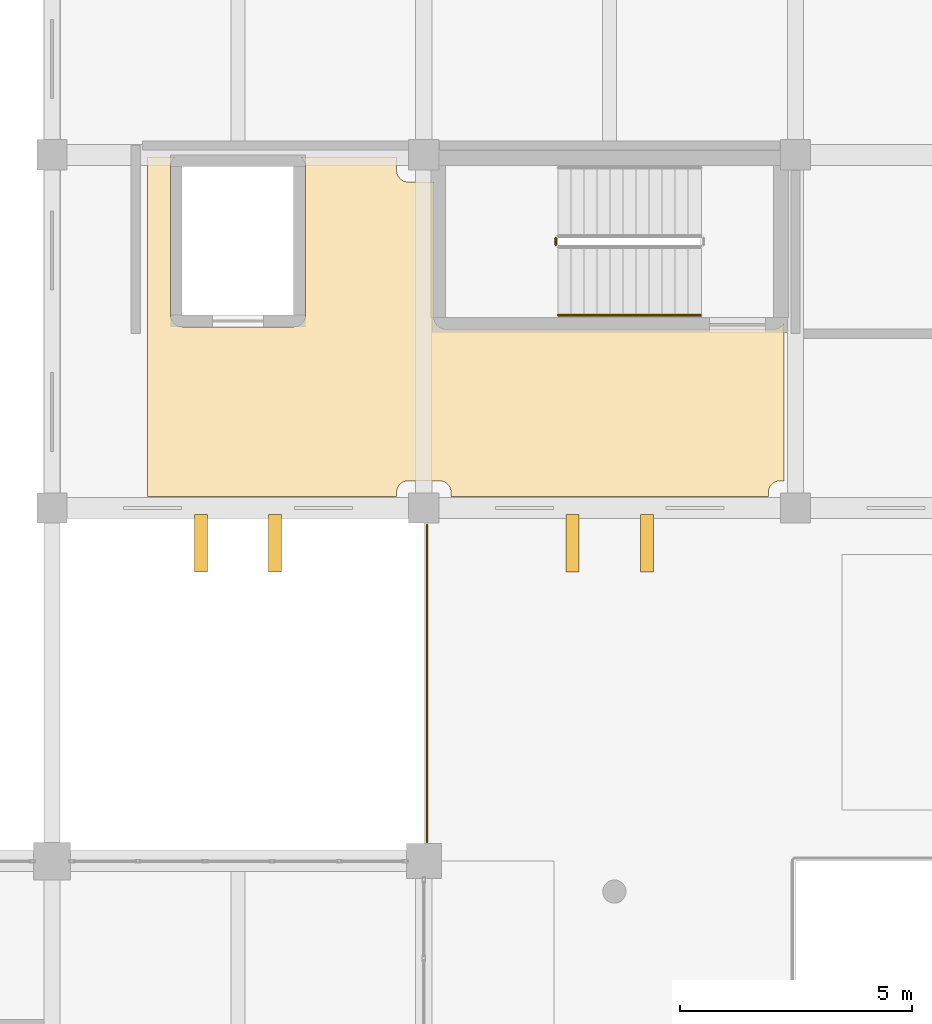
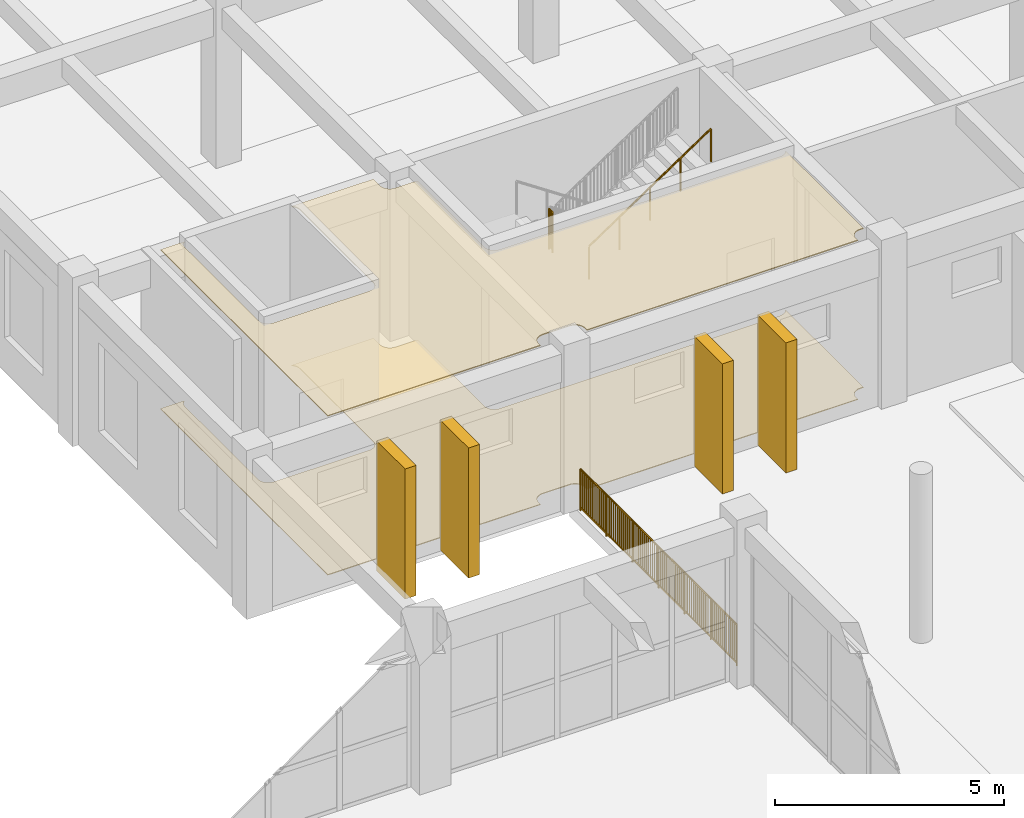
# One storey, part 76 of 79: 4 shading devices, 3 railings, 2 coverings.
"""IFC4 building model written with IfcOpenShell, lengths in metres."""

from ifc_helpers import new_model, si_unit, direction, frame, origin, origin_2d, place, context, subcontext, project, spatial, polyline, rectangle, circle, outline, extrude, material, layer, layer_set, type_object, element, save


model = new_model("IFC4")

# Units and contexts
model_context = context("Model", 3, precision=1e-05, world=origin(), true_north=direction((0.0, 1.0)))
body_context = subcontext(model_context, "Body", "Model", "MODEL_VIEW")
ifc_project = project(units=[si_unit("LENGTHUNIT", "METRE"), si_unit("AREAUNIT", "SQUARE_METRE"), si_unit("VOLUMEUNIT", "CUBIC_METRE"), si_unit("PLANEANGLEUNIT", "RADIAN"), si_unit("MASSUNIT", "GRAM", prefix="KILO")], contexts=[model_context])

# Site, building, storey
site_placement = place(None, origin())
site = spatial("IfcSite", under=ifc_project, at=site_placement, CompositionType="ELEMENT")
building_placement = place(site_placement, origin())
building = spatial("IfcBuilding", under=site, at=building_placement, Name="Zantavel Square City Hall", CompositionType="ELEMENT")
storey_placement = place(building_placement, frame((0.0, 0.0, 10.199951171875)))
storey = spatial("IfcBuildingStorey", under=building, at=storey_placement, Name="L03", CompositionType="ELEMENT", Elevation=10.199951171875)

# Railing
ifc_material_1 = material(Name="Steel ASTM A500 Grade B", Category="steel")
railing_type_1 = type_object("IfcRailingType", Name="Atrium & Gallery Steel Guard Railing 1100mm", PredefinedType="GUARDRAIL", material=ifc_material_1)
railing_1_placement = place(storey_placement, frame((114.840087890625, 81.81005859375, 2.25)))
element("IfcRailing", 1, at=railing_1_placement, inside=storey, type_object=railing_type_1, Name="L03 ST2 stair guard 2", PredefinedType="GUARDRAIL", context=body_context, shape_type="SweptSolid", body=[
    extrude(circle(Radius=0.02392578125, at=origin_2d()), frame((0.0, 0.0, 1.076171875), z_axis=(0.0, -1.0, 0.0), x_axis=(1.0, 0.0, 0.0)), (0.0, 0.0, 1.0), 0.150146484375),
    extrude(rectangle(XDim=0.031982421875, YDim=0.031982421875, at=origin_2d()), frame((0.0, 0.0, 0.080078125), z_axis=(0.0, -1.0, 0.0), x_axis=(1.0, 0.0, 0.0)), (0.0, 0.0, 1.0), 0.150146484375),
    extrude(rectangle(XDim=0.02197265625, YDim=0.02197265625, at=origin_2d()), frame((0.0, -0.0751953125, 0.080078125)), (0.0, 0.0, 1.0), 0.971923828125),
    extrude(circle(Radius=0.02099609375, at=origin_2d()), origin(), (0.0, 0.0, 1.0), 1.052001953125),
    extrude(circle(Radius=0.02099609375, at=origin_2d()), frame((0.0, -0.150146484375, 0.0)), (0.0, 0.0, 1.0), 1.052001953125),
])

# Shading devices
ifc_material_2 = material(Name="Cantera volcanic tuff stone", Category="masonry")
shading_device_type = type_object("IfcShadingDeviceType", Name="Cantera Vertical Solar Shading Pier 280x1240", PredefinedType="USERDEFINED", material=ifc_material_2)
for number, where, z_axis, x_axis, name in (
    (2, (116.800048828125, 75.239990234375, 0.0), (0.0, 0.0, 1.0), (1.0, 0.0, 0.0), "L03 Cantera Solar Pier 037"),
    (3, (115.199951171875, 75.239990234375, 0.0), (0.0, 0.0, 1.0), (1.0, 0.0, 0.0), "L03 Cantera Solar Pier 038"),
    (4, (108.800048828125, 75.239990234375, 0.0), (0.0, 0.0, 1.0), (1.0, 0.0, 0.0), "L03 Cantera Solar Pier 039"),
    (5, (107.199951171875, 75.239990234375, 0.0), (0.0, 0.0, 1.0), (1.0, 0.0, 0.0), "L03 Cantera Solar Pier 040"),
):
    element("IfcShadingDevice", number, at=place(storey_placement, frame(where, z_axis=z_axis, x_axis=x_axis)), inside=storey, type_object=shading_device_type, Name=name, ObjectType="FIN", PredefinedType="USERDEFINED", context=body_context, shape_type="SweptSolid", body=[
        extrude(rectangle(XDim=0.280029296875, YDim=1.239990234375, at=origin_2d()), origin(), (0.0, 0.0, 1.0), 3.469970703125),
    ])

# Railing
railing_type_2 = type_object("IfcRailingType", Name="Classical Stone & Steel Terrace Balustrade 1100mm", PredefinedType="BALUSTRADE", material=ifc_material_1)
railing_2_placement = place(storey_placement, frame((112.070068359375, 68.81494140625, 0.0)))
element("IfcRailing", 6, at=railing_2_placement, inside=storey, type_object=railing_type_2, Name="L03 Terrace Balustrade 028", PredefinedType="BALUSTRADE", context=body_context, shape_type="SweptSolid", body=[
    extrude(circle(Radius=0.02392578125, at=origin_2d()), frame((0.0, 0.0, 1.09619140625), z_axis=(0.0, 1.0, 0.0), x_axis=(-1.0, 0.0, 0.0)), (0.0, 0.0, 1.0), 6.820068359375),
    extrude(rectangle(XDim=0.031982421875, YDim=0.031982421875, at=origin_2d()), frame((0.0, 0.0, 0.080078125), z_axis=(0.0, 1.0, 0.0), x_axis=(-1.0, 0.0, 0.0)), (0.0, 0.0, 1.0), 6.820068359375),
    extrude(rectangle(XDim=0.02197265625, YDim=0.02197265625, at=origin_2d()), frame((0.0, 0.08984375, 0.080078125)), (0.0, 0.0, 1.0), 0.991943359375),
    extrude(rectangle(XDim=0.02197265625, YDim=0.02197265625, at=origin_2d()), frame((0.0, 0.179443359375, 0.080078125)), (0.0, 0.0, 1.0), 0.991943359375),
    extrude(rectangle(XDim=0.02197265625, YDim=0.02197265625, at=origin_2d()), frame((0.0, 0.269287109375, 0.080078125)), (0.0, 0.0, 1.0), 0.991943359375),
    extrude(rectangle(XDim=0.02197265625, YDim=0.02197265625, at=origin_2d()), frame((0.0, 0.35888671875, 0.080078125)), (0.0, 0.0, 1.0), 0.991943359375),
    extrude(rectangle(XDim=0.02197265625, YDim=0.02197265625, at=origin_2d()), frame((0.0, 0.44873046875, 0.080078125)), (0.0, 0.0, 1.0), 0.991943359375),
    extrude(rectangle(XDim=0.02197265625, YDim=0.02197265625, at=origin_2d()), frame((0.0, 0.538330078125, 0.080078125)), (0.0, 0.0, 1.0), 0.991943359375),
    extrude(rectangle(XDim=0.02197265625, YDim=0.02197265625, at=origin_2d()), frame((0.0, 0.628173828125, 0.080078125)), (0.0, 0.0, 1.0), 0.991943359375),
    extrude(rectangle(XDim=0.02197265625, YDim=0.02197265625, at=origin_2d()), frame((0.0, 0.718017578125, 0.080078125)), (0.0, 0.0, 1.0), 0.991943359375),
    extrude(rectangle(XDim=0.02197265625, YDim=0.02197265625, at=origin_2d()), frame((0.0, 0.8076171875, 0.080078125)), (0.0, 0.0, 1.0), 0.991943359375),
    extrude(rectangle(XDim=0.02197265625, YDim=0.02197265625, at=origin_2d()), frame((0.0, 0.8974609375, 0.080078125)), (0.0, 0.0, 1.0), 0.991943359375),
    extrude(rectangle(XDim=0.02197265625, YDim=0.02197265625, at=origin_2d()), frame((0.0, 0.987060546875, 0.080078125)), (0.0, 0.0, 1.0), 0.991943359375),
    extrude(rectangle(XDim=0.02197265625, YDim=0.02197265625, at=origin_2d()), frame((0.0, 1.076904296875, 0.080078125)), (0.0, 0.0, 1.0), 0.991943359375),
    extrude(rectangle(XDim=0.02197265625, YDim=0.02197265625, at=origin_2d()), frame((0.0, 1.25634765625, 0.080078125)), (0.0, 0.0, 1.0), 0.991943359375),
    extrude(rectangle(XDim=0.02197265625, YDim=0.02197265625, at=origin_2d()), frame((0.0, 1.345947265625, 0.080078125)), (0.0, 0.0, 1.0), 0.991943359375),
    extrude(rectangle(XDim=0.02197265625, YDim=0.02197265625, at=origin_2d()), frame((0.0, 1.435791015625, 0.080078125)), (0.0, 0.0, 1.0), 0.991943359375),
    extrude(rectangle(XDim=0.02197265625, YDim=0.02197265625, at=origin_2d()), frame((0.0, 1.525634765625, 0.080078125)), (0.0, 0.0, 1.0), 0.991943359375),
    extrude(rectangle(XDim=0.02197265625, YDim=0.02197265625, at=origin_2d()), frame((0.0, 1.615234375, 0.080078125)), (0.0, 0.0, 1.0), 0.991943359375),
    extrude(rectangle(XDim=0.02197265625, YDim=0.02197265625, at=origin_2d()), frame((0.0, 1.705078125, 0.080078125)), (0.0, 0.0, 1.0), 0.991943359375),
    extrude(rectangle(XDim=0.02197265625, YDim=0.02197265625, at=origin_2d()), frame((0.0, 1.794677734375, 0.080078125)), (0.0, 0.0, 1.0), 0.991943359375),
    extrude(rectangle(XDim=0.02197265625, YDim=0.02197265625, at=origin_2d()), frame((0.0, 1.884521484375, 0.080078125)), (0.0, 0.0, 1.0), 0.991943359375),
    extrude(rectangle(XDim=0.02197265625, YDim=0.02197265625, at=origin_2d()), frame((0.0, 1.97412109375, 0.080078125)), (0.0, 0.0, 1.0), 0.991943359375),
    extrude(rectangle(XDim=0.02197265625, YDim=0.02197265625, at=origin_2d()), frame((0.0, 2.06396484375, 0.080078125)), (0.0, 0.0, 1.0), 0.991943359375),
    extrude(rectangle(XDim=0.02197265625, YDim=0.02197265625, at=origin_2d()), frame((0.0, 2.15380859375, 0.080078125)), (0.0, 0.0, 1.0), 0.991943359375),
    extrude(rectangle(XDim=0.02197265625, YDim=0.02197265625, at=origin_2d()), frame((0.0, 2.333251953125, 0.080078125)), (0.0, 0.0, 1.0), 0.991943359375),
    extrude(rectangle(XDim=0.02197265625, YDim=0.02197265625, at=origin_2d()), frame((0.0, 2.4228515625, 0.080078125)), (0.0, 0.0, 1.0), 0.991943359375),
    extrude(rectangle(XDim=0.02197265625, YDim=0.02197265625, at=origin_2d()), frame((0.0, 2.5126953125, 0.080078125)), (0.0, 0.0, 1.0), 0.991943359375),
    extrude(rectangle(XDim=0.02197265625, YDim=0.02197265625, at=origin_2d()), frame((0.0, 2.602294921875, 0.080078125)), (0.0, 0.0, 1.0), 0.991943359375),
    extrude(rectangle(XDim=0.02197265625, YDim=0.02197265625, at=origin_2d()), frame((0.0, 2.692138671875, 0.080078125)), (0.0, 0.0, 1.0), 0.991943359375),
    extrude(rectangle(XDim=0.02197265625, YDim=0.02197265625, at=origin_2d()), frame((0.0, 2.781982421875, 0.080078125)), (0.0, 0.0, 1.0), 0.991943359375),
    extrude(rectangle(XDim=0.02197265625, YDim=0.02197265625, at=origin_2d()), frame((0.0, 2.87158203125, 0.080078125)), (0.0, 0.0, 1.0), 0.991943359375),
    extrude(rectangle(XDim=0.02197265625, YDim=0.02197265625, at=origin_2d()), frame((0.0, 2.96142578125, 0.080078125)), (0.0, 0.0, 1.0), 0.991943359375),
    extrude(rectangle(XDim=0.02197265625, YDim=0.02197265625, at=origin_2d()), frame((0.0, 3.051025390625, 0.080078125)), (0.0, 0.0, 1.0), 0.991943359375),
    extrude(rectangle(XDim=0.02197265625, YDim=0.02197265625, at=origin_2d()), frame((0.0, 3.140869140625, 0.080078125)), (0.0, 0.0, 1.0), 0.991943359375),
    extrude(rectangle(XDim=0.02197265625, YDim=0.02197265625, at=origin_2d()), frame((0.0, 3.23046875, 0.080078125)), (0.0, 0.0, 1.0), 0.991943359375),
    extrude(rectangle(XDim=0.02197265625, YDim=0.02197265625, at=origin_2d()), frame((0.0, 3.3203125, 0.080078125)), (0.0, 0.0, 1.0), 0.991943359375),
    extrude(rectangle(XDim=0.02197265625, YDim=0.02197265625, at=origin_2d()), frame((0.0, 3.499755859375, 0.080078125)), (0.0, 0.0, 1.0), 0.991943359375),
    extrude(rectangle(XDim=0.02197265625, YDim=0.02197265625, at=origin_2d()), frame((0.0, 3.589599609375, 0.080078125)), (0.0, 0.0, 1.0), 0.991943359375),
    extrude(rectangle(XDim=0.02197265625, YDim=0.02197265625, at=origin_2d()), frame((0.0, 3.67919921875, 0.080078125)), (0.0, 0.0, 1.0), 0.991943359375),
    extrude(rectangle(XDim=0.02197265625, YDim=0.02197265625, at=origin_2d()), frame((0.0, 3.76904296875, 0.080078125)), (0.0, 0.0, 1.0), 0.991943359375),
    extrude(rectangle(XDim=0.02197265625, YDim=0.02197265625, at=origin_2d()), frame((0.0, 3.858642578125, 0.080078125)), (0.0, 0.0, 1.0), 0.991943359375),
    extrude(rectangle(XDim=0.02197265625, YDim=0.02197265625, at=origin_2d()), frame((0.0, 3.948486328125, 0.080078125)), (0.0, 0.0, 1.0), 0.991943359375),
    extrude(rectangle(XDim=0.02197265625, YDim=0.02197265625, at=origin_2d()), frame((0.0, 4.0380859375, 0.080078125)), (0.0, 0.0, 1.0), 0.991943359375),
    extrude(rectangle(XDim=0.02197265625, YDim=0.02197265625, at=origin_2d()), frame((0.0, 4.1279296875, 0.080078125)), (0.0, 0.0, 1.0), 0.991943359375),
    extrude(rectangle(XDim=0.02197265625, YDim=0.02197265625, at=origin_2d()), frame((0.0, 4.2177734375, 0.080078125)), (0.0, 0.0, 1.0), 0.991943359375),
    extrude(rectangle(XDim=0.02197265625, YDim=0.02197265625, at=origin_2d()), frame((0.0, 4.307373046875, 0.080078125)), (0.0, 0.0, 1.0), 0.991943359375),
    extrude(rectangle(XDim=0.02197265625, YDim=0.02197265625, at=origin_2d()), frame((0.0, 4.397216796875, 0.080078125)), (0.0, 0.0, 1.0), 0.991943359375),
    extrude(rectangle(XDim=0.02197265625, YDim=0.02197265625, at=origin_2d()), frame((0.0, 4.48681640625, 0.080078125)), (0.0, 0.0, 1.0), 0.991943359375),
    extrude(rectangle(XDim=0.02197265625, YDim=0.02197265625, at=origin_2d()), frame((0.0, 4.666259765625, 0.080078125)), (0.0, 0.0, 1.0), 0.991943359375),
    extrude(rectangle(XDim=0.02197265625, YDim=0.02197265625, at=origin_2d()), frame((0.0, 4.756103515625, 0.080078125)), (0.0, 0.0, 1.0), 0.991943359375),
    extrude(rectangle(XDim=0.02197265625, YDim=0.02197265625, at=origin_2d()), frame((0.0, 4.845947265625, 0.080078125)), (0.0, 0.0, 1.0), 0.991943359375),
    extrude(rectangle(XDim=0.02197265625, YDim=0.02197265625, at=origin_2d()), frame((0.0, 4.935546875, 0.080078125)), (0.0, 0.0, 1.0), 0.991943359375),
    extrude(rectangle(XDim=0.02197265625, YDim=0.02197265625, at=origin_2d()), frame((0.0, 5.025390625, 0.080078125)), (0.0, 0.0, 1.0), 0.991943359375),
    extrude(rectangle(XDim=0.02197265625, YDim=0.02197265625, at=origin_2d()), frame((0.0, 5.114990234375, 0.080078125)), (0.0, 0.0, 1.0), 0.991943359375),
    extrude(rectangle(XDim=0.02197265625, YDim=0.02197265625, at=origin_2d()), frame((0.0, 5.204833984375, 0.080078125)), (0.0, 0.0, 1.0), 0.991943359375),
    extrude(rectangle(XDim=0.02197265625, YDim=0.02197265625, at=origin_2d()), frame((0.0, 5.29443359375, 0.080078125)), (0.0, 0.0, 1.0), 0.991943359375),
    extrude(rectangle(XDim=0.02197265625, YDim=0.02197265625, at=origin_2d()), frame((0.0, 5.38427734375, 0.080078125)), (0.0, 0.0, 1.0), 0.991943359375),
    extrude(rectangle(XDim=0.02197265625, YDim=0.02197265625, at=origin_2d()), frame((0.0, 5.47412109375, 0.080078125)), (0.0, 0.0, 1.0), 0.991943359375),
    extrude(rectangle(XDim=0.02197265625, YDim=0.02197265625, at=origin_2d()), frame((0.0, 5.563720703125, 0.080078125)), (0.0, 0.0, 1.0), 0.991943359375),
    extrude(rectangle(XDim=0.02197265625, YDim=0.02197265625, at=origin_2d()), frame((0.0, 5.7431640625, 0.080078125)), (0.0, 0.0, 1.0), 0.991943359375),
    extrude(rectangle(XDim=0.02197265625, YDim=0.02197265625, at=origin_2d()), frame((0.0, 5.8330078125, 0.080078125)), (0.0, 0.0, 1.0), 0.991943359375),
    extrude(rectangle(XDim=0.02197265625, YDim=0.02197265625, at=origin_2d()), frame((0.0, 5.922607421875, 0.080078125)), (0.0, 0.0, 1.0), 0.991943359375),
    extrude(rectangle(XDim=0.02197265625, YDim=0.02197265625, at=origin_2d()), frame((0.0, 6.012451171875, 0.080078125)), (0.0, 0.0, 1.0), 0.991943359375),
    extrude(rectangle(XDim=0.02197265625, YDim=0.02197265625, at=origin_2d()), frame((0.0, 6.10205078125, 0.080078125)), (0.0, 0.0, 1.0), 0.991943359375),
    extrude(rectangle(XDim=0.02197265625, YDim=0.02197265625, at=origin_2d()), frame((0.0, 6.19189453125, 0.080078125)), (0.0, 0.0, 1.0), 0.991943359375),
    extrude(rectangle(XDim=0.02197265625, YDim=0.02197265625, at=origin_2d()), frame((0.0, 6.28173828125, 0.080078125)), (0.0, 0.0, 1.0), 0.991943359375),
    extrude(rectangle(XDim=0.02197265625, YDim=0.02197265625, at=origin_2d()), frame((0.0, 6.371337890625, 0.080078125)), (0.0, 0.0, 1.0), 0.991943359375),
    extrude(rectangle(XDim=0.02197265625, YDim=0.02197265625, at=origin_2d()), frame((0.0, 6.461181640625, 0.080078125)), (0.0, 0.0, 1.0), 0.991943359375),
    extrude(rectangle(XDim=0.02197265625, YDim=0.02197265625, at=origin_2d()), frame((0.0, 6.55078125, 0.080078125)), (0.0, 0.0, 1.0), 0.991943359375),
    extrude(rectangle(XDim=0.02197265625, YDim=0.02197265625, at=origin_2d()), frame((0.0, 6.640625, 0.080078125)), (0.0, 0.0, 1.0), 0.991943359375),
    extrude(rectangle(XDim=0.02197265625, YDim=0.02197265625, at=origin_2d()), frame((0.0, 6.730224609375, 0.080078125)), (0.0, 0.0, 1.0), 0.991943359375),
    extrude(circle(Radius=0.02099609375, at=origin_2d()), origin(), (0.0, 0.0, 1.0), 1.072021484375),
    extrude(circle(Radius=0.02099609375, at=origin_2d()), frame((0.0, 1.13671875, 0.0)), (0.0, 0.0, 1.0), 1.072021484375),
    extrude(circle(Radius=0.02099609375, at=origin_2d()), frame((0.0, 2.2734375, 0.0)), (0.0, 0.0, 1.0), 1.072021484375),
    extrude(circle(Radius=0.02099609375, at=origin_2d()), frame((0.0, 3.41015625, 0.0)), (0.0, 0.0, 1.0), 1.072021484375),
    extrude(circle(Radius=0.02099609375, at=origin_2d()), frame((0.0, 4.546630859375, 0.0)), (0.0, 0.0, 1.0), 1.072021484375),
    extrude(circle(Radius=0.02099609375, at=origin_2d()), frame((0.0, 5.683349609375, 0.0)), (0.0, 0.0, 1.0), 1.072021484375),
    extrude(circle(Radius=0.02099609375, at=origin_2d()), frame((0.0, 6.820068359375, 0.0)), (0.0, 0.0, 1.0), 1.072021484375),
])

# Coverings
ifc_material_3 = material(Name="Terrazzo stone finish", Category="masonry")
ifc_layer_1 = layer(ifc_material_3, 0.02001953125, Name="Terrazzo stone finish")
ifc_layer_set_1 = layer_set([ifc_layer_1], Name="Terrazzo stone finish")
covering_type_1 = type_object("IfcCoveringType", Name="Honed Cantera-Terrazzo Civic Flooring 20mm", PredefinedType="FLOORING", material=ifc_layer_set_1)
covering_1_placement = place(storey_placement, origin())
element("IfcCovering", 7, at=covering_1_placement, inside=storey, type_object=covering_type_1, Name="L03 L03 North-East Lift Lobby Terrazzo Flooring", PredefinedType="FLOORING", context=body_context, shape_type="SweptSolid", body=[
    extrude(outline(polyline([(106.623291015625, 83.52685546875), (106.606689453125, 83.508544921875), (106.592041015625, 83.489013671875), (106.57958984375, 83.4677734375), (106.569091796875, 83.44580078125), (106.560791015625, 83.422607421875), (106.5546875, 83.398681640625), (106.55126953125, 83.37451171875), (106.550048828125, 83.35009765625), (106.550048828125, 80.14990234375), (106.55126953125, 80.12548828125), (106.5546875, 80.101318359375), (106.560791015625, 80.077392578125), (106.569091796875, 80.05419921875), (106.57958984375, 80.0322265625), (106.592041015625, 80.010986328125), (106.606689453125, 79.991455078125), (106.623291015625, 79.97314453125), (106.641357421875, 79.956787109375), (106.6611328125, 79.942138671875), (106.68212890625, 79.929443359375), (106.704345703125, 79.9189453125), (106.727294921875, 79.910888671875), (106.751220703125, 79.90478515625), (106.775390625, 79.901123046875), (106.800048828125, 79.89990234375), (109.199951171875, 79.89990234375), (109.224609375, 79.901123046875), (109.248779296875, 79.90478515625), (109.272705078125, 79.910888671875), (109.295654296875, 79.9189453125), (109.31787109375, 79.929443359375), (109.3388671875, 79.942138671875), (109.358642578125, 79.956787109375), (109.376708984375, 79.97314453125), (109.393310546875, 79.991455078125), (109.407958984375, 80.010986328125), (109.42041015625, 80.0322265625), (109.430908203125, 80.05419921875), (109.439208984375, 80.077392578125), (109.4453125, 80.101318359375), (109.44873046875, 80.12548828125), (109.449951171875, 80.14990234375), (109.449951171875, 83.35009765625), (109.44873046875, 83.37451171875), (109.4453125, 83.398681640625), (109.439208984375, 83.422607421875), (109.430908203125, 83.44580078125), (109.42041015625, 83.4677734375), (109.407958984375, 83.489013671875), (109.393310546875, 83.508544921875), (109.376708984375, 83.52685546875), (109.358642578125, 83.543212890625), (109.349609375, 83.550048828125), (111.4150390625, 83.550048828125), (111.4150390625, 83.264892578125), (111.416259765625, 83.240478515625), (111.419921875, 83.21630859375), (111.42578125, 83.1923828125), (111.43408203125, 83.169189453125), (111.444580078125, 83.147216796875), (111.45703125, 83.126220703125), (111.4716796875, 83.1064453125), (111.48828125, 83.088134765625), (111.50634765625, 83.07177734375), (111.526123046875, 83.05712890625), (111.547119140625, 83.04443359375), (111.5693359375, 83.033935546875), (111.59228515625, 83.02587890625), (111.6162109375, 83.019775390625), (111.640380859375, 83.01611328125), (111.6650390625, 83.014892578125), (112.219970703125, 83.014892578125), (112.219970703125, 80.10009765625), (112.22119140625, 80.075439453125), (112.224853515625, 80.05126953125), (112.230712890625, 80.02734375), (112.239013671875, 80.00439453125), (112.24951171875, 79.982177734375), (112.26220703125, 79.961181640625), (112.276611328125, 79.94140625), (112.293212890625, 79.923095703125), (112.311279296875, 79.90673828125), (112.3310546875, 79.89208984375), (112.352294921875, 79.87939453125), (112.374267578125, 79.868896484375), (112.3974609375, 79.86083984375), (112.421142578125, 79.854736328125), (112.445556640625, 79.851318359375), (112.469970703125, 79.85009765625), (119.530029296875, 79.85009765625), (119.554443359375, 79.851318359375), (119.578857421875, 79.854736328125), (119.6025390625, 79.86083984375), (119.625732421875, 79.868896484375), (119.647705078125, 79.87939453125), (119.6689453125, 79.89208984375), (119.688720703125, 79.90673828125), (119.706787109375, 79.923095703125), (119.723388671875, 79.94140625), (119.73779296875, 79.961181640625), (119.75, 79.981201171875), (119.75, 76.5849609375), (119.6650390625, 76.5849609375), (119.640380859375, 76.583740234375), (119.6162109375, 76.580078125), (119.59228515625, 76.57421875), (119.5693359375, 76.56591796875), (119.547119140625, 76.555419921875), (119.526123046875, 76.54296875), (119.50634765625, 76.5283203125), (119.48828125, 76.51171875), (119.4716796875, 76.49365234375), (119.45703125, 76.473876953125), (119.444580078125, 76.452880859375), (119.43408203125, 76.4306640625), (119.42578125, 76.40771484375), (119.419921875, 76.3837890625), (119.416259765625, 76.359619140625), (119.4150390625, 76.3349609375), (119.4150390625, 76.25), (112.5849609375, 76.25), (112.5849609375, 76.3349609375), (112.583740234375, 76.359619140625), (112.580078125, 76.3837890625), (112.57421875, 76.40771484375), (112.56591796875, 76.4306640625), (112.555419921875, 76.452880859375), (112.54296875, 76.473876953125), (112.5283203125, 76.49365234375), (112.51171875, 76.51171875), (112.49365234375, 76.5283203125), (112.473876953125, 76.54296875), (112.452880859375, 76.555419921875), (112.4306640625, 76.56591796875), (112.40771484375, 76.57421875), (112.3837890625, 76.580078125), (112.359619140625, 76.583740234375), (112.3349609375, 76.5849609375), (111.6650390625, 76.5849609375), (111.640380859375, 76.583740234375), (111.6162109375, 76.580078125), (111.59228515625, 76.57421875), (111.5693359375, 76.56591796875), (111.547119140625, 76.555419921875), (111.526123046875, 76.54296875), (111.50634765625, 76.5283203125), (111.48828125, 76.51171875), (111.4716796875, 76.49365234375), (111.45703125, 76.473876953125), (111.444580078125, 76.452880859375), (111.43408203125, 76.4306640625), (111.42578125, 76.40771484375), (111.419921875, 76.3837890625), (111.416259765625, 76.359619140625), (111.4150390625, 76.3349609375), (111.4150390625, 76.25), (106.050048828125, 76.25), (106.050048828125, 83.550048828125), (106.650390625, 83.550048828125), (106.641357421875, 83.543212890625), (106.623291015625, 83.52685546875)])), origin(), (0.0, 0.0, 1.0), 0.02001953125),
])
ifc_material_4 = material(Name="Gypsum acoustic stud assembly", Category="masonry")
ifc_layer_2 = layer(ifc_material_4, 0.02490234375, Name="Gypsum acoustic stud assembly")
ifc_layer_set_2 = layer_set([ifc_layer_2], Name="Gypsum acoustic stud assembly")
covering_type_2 = type_object("IfcCoveringType", Name="Perforated Gypsum Acoustic Ceiling 25mm", PredefinedType="CEILING", material=ifc_layer_set_2)
covering_2_placement = place(storey_placement, frame((0.0, 0.0, 4.235107421875)))
element("IfcCovering", 8, at=covering_2_placement, inside=storey, type_object=covering_type_2, Name="L03 L03 North-East Lift Lobby Acoustic Ceiling", PredefinedType="CEILING", context=body_context, shape_type="SweptSolid", body=[
    extrude(outline(polyline([(106.623291015625, 83.52685546875), (106.606689453125, 83.508544921875), (106.592041015625, 83.489013671875), (106.57958984375, 83.4677734375), (106.569091796875, 83.44580078125), (106.560791015625, 83.422607421875), (106.5546875, 83.398681640625), (106.55126953125, 83.37451171875), (106.550048828125, 83.35009765625), (106.550048828125, 80.14990234375), (106.55126953125, 80.12548828125), (106.5546875, 80.101318359375), (106.560791015625, 80.077392578125), (106.569091796875, 80.05419921875), (106.57958984375, 80.0322265625), (106.592041015625, 80.010986328125), (106.606689453125, 79.991455078125), (106.623291015625, 79.97314453125), (106.641357421875, 79.956787109375), (106.6611328125, 79.942138671875), (106.68212890625, 79.929443359375), (106.704345703125, 79.9189453125), (106.727294921875, 79.910888671875), (106.751220703125, 79.90478515625), (106.775390625, 79.901123046875), (106.800048828125, 79.89990234375), (109.199951171875, 79.89990234375), (109.224609375, 79.901123046875), (109.248779296875, 79.90478515625), (109.272705078125, 79.910888671875), (109.295654296875, 79.9189453125), (109.31787109375, 79.929443359375), (109.3388671875, 79.942138671875), (109.358642578125, 79.956787109375), (109.376708984375, 79.97314453125), (109.393310546875, 79.991455078125), (109.407958984375, 80.010986328125), (109.42041015625, 80.0322265625), (109.430908203125, 80.05419921875), (109.439208984375, 80.077392578125), (109.4453125, 80.101318359375), (109.44873046875, 80.12548828125), (109.449951171875, 80.14990234375), (109.449951171875, 83.35009765625), (109.44873046875, 83.37451171875), (109.4453125, 83.398681640625), (109.439208984375, 83.422607421875), (109.430908203125, 83.44580078125), (109.42041015625, 83.4677734375), (109.407958984375, 83.489013671875), (109.393310546875, 83.508544921875), (109.376708984375, 83.52685546875), (109.358642578125, 83.543212890625), (109.349609375, 83.550048828125), (111.4150390625, 83.550048828125), (111.4150390625, 83.264892578125), (111.416259765625, 83.240478515625), (111.419921875, 83.21630859375), (111.42578125, 83.1923828125), (111.43408203125, 83.169189453125), (111.444580078125, 83.147216796875), (111.45703125, 83.126220703125), (111.4716796875, 83.1064453125), (111.48828125, 83.088134765625), (111.50634765625, 83.07177734375), (111.526123046875, 83.05712890625), (111.547119140625, 83.04443359375), (111.5693359375, 83.033935546875), (111.59228515625, 83.02587890625), (111.6162109375, 83.019775390625), (111.640380859375, 83.01611328125), (111.6650390625, 83.014892578125), (112.219970703125, 83.014892578125), (112.219970703125, 80.10009765625), (112.22119140625, 80.075439453125), (112.224853515625, 80.05126953125), (112.230712890625, 80.02734375), (112.239013671875, 80.00439453125), (112.24951171875, 79.982177734375), (112.26220703125, 79.961181640625), (112.276611328125, 79.94140625), (112.293212890625, 79.923095703125), (112.311279296875, 79.90673828125), (112.3310546875, 79.89208984375), (112.352294921875, 79.87939453125), (112.374267578125, 79.868896484375), (112.3974609375, 79.86083984375), (112.421142578125, 79.854736328125), (112.445556640625, 79.851318359375), (112.469970703125, 79.85009765625), (119.530029296875, 79.85009765625), (119.554443359375, 79.851318359375), (119.578857421875, 79.854736328125), (119.6025390625, 79.86083984375), (119.625732421875, 79.868896484375), (119.647705078125, 79.87939453125), (119.6689453125, 79.89208984375), (119.688720703125, 79.90673828125), (119.706787109375, 79.923095703125), (119.723388671875, 79.94140625), (119.73779296875, 79.961181640625), (119.75, 79.981201171875), (119.75, 76.5849609375), (119.6650390625, 76.5849609375), (119.640380859375, 76.583740234375), (119.6162109375, 76.580078125), (119.59228515625, 76.57421875), (119.5693359375, 76.56591796875), (119.547119140625, 76.555419921875), (119.526123046875, 76.54296875), (119.50634765625, 76.5283203125), (119.48828125, 76.51171875), (119.4716796875, 76.49365234375), (119.45703125, 76.473876953125), (119.444580078125, 76.452880859375), (119.43408203125, 76.4306640625), (119.42578125, 76.40771484375), (119.419921875, 76.3837890625), (119.416259765625, 76.359619140625), (119.4150390625, 76.3349609375), (119.4150390625, 76.25), (112.5849609375, 76.25), (112.5849609375, 76.3349609375), (112.583740234375, 76.359619140625), (112.580078125, 76.3837890625), (112.57421875, 76.40771484375), (112.56591796875, 76.4306640625), (112.555419921875, 76.452880859375), (112.54296875, 76.473876953125), (112.5283203125, 76.49365234375), (112.51171875, 76.51171875), (112.49365234375, 76.5283203125), (112.473876953125, 76.54296875), (112.452880859375, 76.555419921875), (112.4306640625, 76.56591796875), (112.40771484375, 76.57421875), (112.3837890625, 76.580078125), (112.359619140625, 76.583740234375), (112.3349609375, 76.5849609375), (111.6650390625, 76.5849609375), (111.640380859375, 76.583740234375), (111.6162109375, 76.580078125), (111.59228515625, 76.57421875), (111.5693359375, 76.56591796875), (111.547119140625, 76.555419921875), (111.526123046875, 76.54296875), (111.50634765625, 76.5283203125), (111.48828125, 76.51171875), (111.4716796875, 76.49365234375), (111.45703125, 76.473876953125), (111.444580078125, 76.452880859375), (111.43408203125, 76.4306640625), (111.42578125, 76.40771484375), (111.419921875, 76.3837890625), (111.416259765625, 76.359619140625), (111.4150390625, 76.3349609375), (111.4150390625, 76.25), (106.050048828125, 76.25), (106.050048828125, 83.550048828125), (106.650390625, 83.550048828125), (106.641357421875, 83.543212890625), (106.623291015625, 83.52685546875)])), origin(), (0.0, 0.0, 1.0), 0.02490234375),
])

# Railing
ifc_material_5 = material(Name="Stainless steel 316", Category="steel")
railing_type_3 = type_object("IfcRailingType", Name="Stair Stainless Steel Handrail 900mm", PredefinedType="HANDRAIL", material=ifc_material_5)
railing_3_placement = place(storey_placement, frame((114.889892578125, 80.14990234375, 2.4375)))
element("IfcRailing", 9, at=railing_3_placement, inside=storey, type_object=railing_type_3, Name="L03 ST2 stair handrail 2", PredefinedType="HANDRAIL", context=body_context, shape_type="SweptSolid", body=[
    extrude(circle(Radius=0.02392578125, at=origin_2d()), frame((0.0, 0.0, 0.8759765625), z_axis=(0.830913701846, 0.0, 0.55640131208), x_axis=(0.0, 1.0, 0.0)), (0.0, 0.0, 1.0), 3.706787109375),
    extrude(circle(Radius=0.02099609375, at=origin_2d()), origin(), (0.0, 0.0, 1.0), 0.851806640625),
    extrude(circle(Radius=0.02099609375, at=origin_2d()), frame((0.77001953125, 0.0, 0.515625)), (0.0, 0.0, 1.0), 0.851806640625),
    extrude(circle(Radius=0.02099609375, at=origin_2d()), frame((1.5400390625, 0.0, 1.03125)), (0.0, 0.0, 1.0), 0.851806640625),
    extrude(circle(Radius=0.02099609375, at=origin_2d()), frame((2.31005859375, 0.0, 1.546875)), (0.0, 0.0, 1.0), 0.851806640625),
    extrude(circle(Radius=0.02099609375, at=origin_2d()), frame((3.080078125, 0.0, 2.0625)), (0.0, 0.0, 1.0), 0.851806640625),
])

save(model, "model.ifc")
